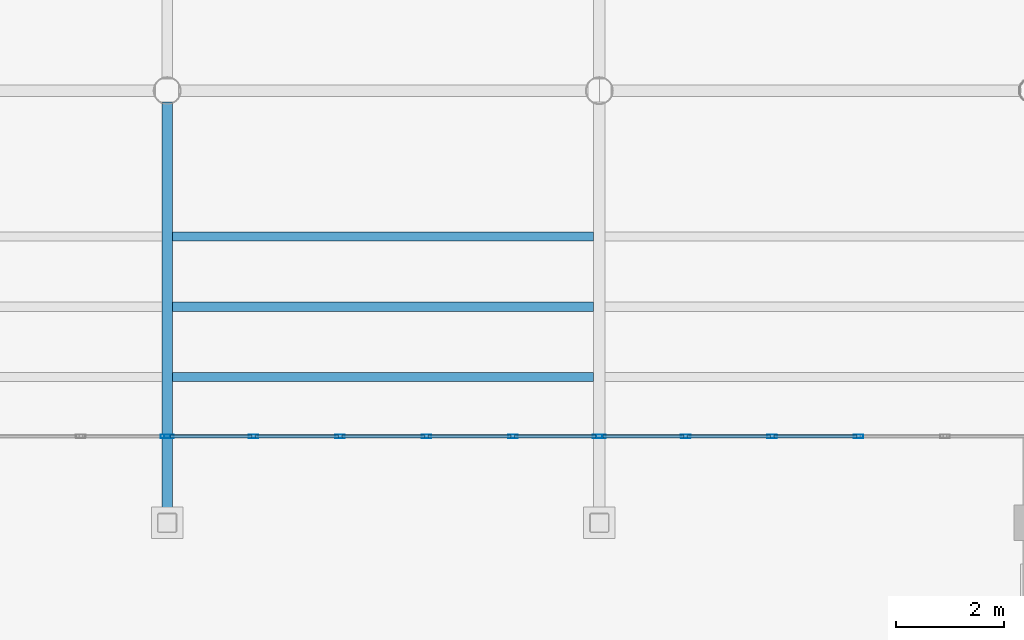
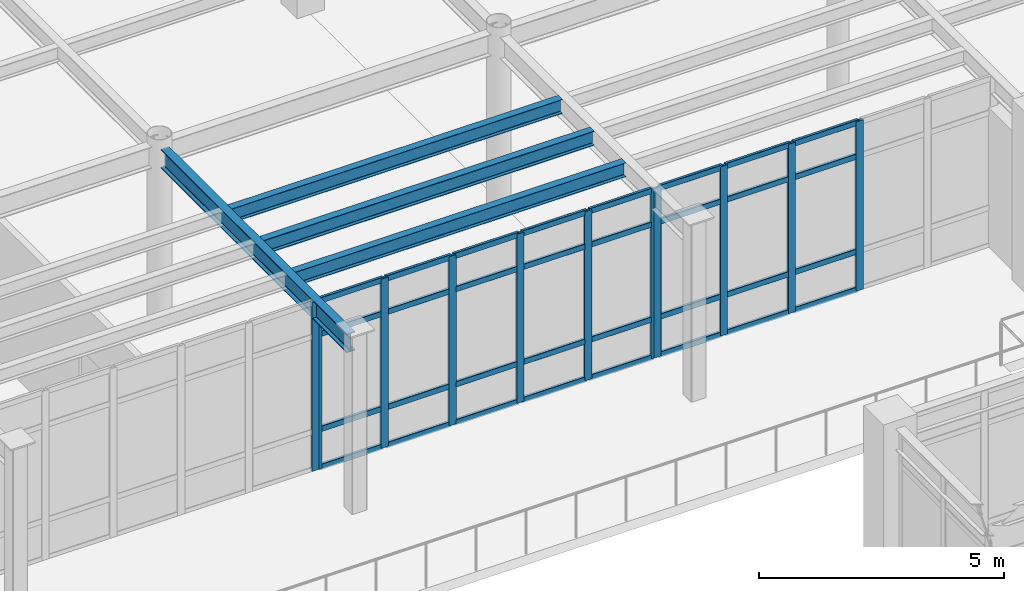
# One storey, part 45 of 111: 43 members, 4 beams, 3 elements without a shape of their own.
"""IFC4 building model written with IfcOpenShell, lengths in metres."""

from ifc_helpers import new_model, si_unit, direction, frame, origin, origin_2d, place, context, subcontext, project, spatial, hollow_rectangle, i_section, extrude, material, material_profile, profile_set, type_object, element, aggregate, save


model = new_model("IFC4")

# Units and contexts
model_context = context("Model", 3, precision=1e-05, world=origin(), true_north=direction((0.0, 1.0)))
body_context = subcontext(model_context, "Body", "Model", "MODEL_VIEW")
ifc_project = project(units=[si_unit("LENGTHUNIT", "METRE"), si_unit("AREAUNIT", "SQUARE_METRE"), si_unit("VOLUMEUNIT", "CUBIC_METRE"), si_unit("PLANEANGLEUNIT", "RADIAN"), si_unit("MASSUNIT", "GRAM", prefix="KILO")], contexts=[model_context])

# Site, building, storey
site_placement = place(None, origin())
site = spatial("IfcSite", under=ifc_project, at=site_placement, CompositionType="ELEMENT")
building_placement = place(site_placement, origin())
building = spatial("IfcBuilding", under=site, at=building_placement, Name="Solmirada Galleria", CompositionType="ELEMENT")
storey_placement = place(building_placement, frame((0.0, 0.0, 10.39990234375)))
storey = spatial("IfcBuildingStorey", under=building, at=storey_placement, Name="L02", CompositionType="ELEMENT", Elevation=10.39990234375)

# Beams
ifc_material_1 = material(Name="Steel S355 / ASTM A992 Grade 50", Category="steel")
ifc_material_profile_1 = material_profile(ifc_material_1, i_section(OverallWidth=0.194091796875, OverallDepth=0.468994140625, WebThickness=0.0126953125, FlangeThickness=0.0205078125, FilletRadius=0.013916015625, at=origin_2d()), Name="W18X71")
ifc_profile_set_1 = profile_set([ifc_material_profile_1], Name="Steel S355 / ASTM A992 Grade 50")
beam_type_1 = type_object("IfcBeamType", Name="BM-GIRD-W18B", PredefinedType="BEAM", material=ifc_profile_set_1)
beam_1_placement = place(storey_placement, frame((72.0, 80.177978515625, 4.025634765625), z_axis=(0.0, 1.0, 0.0), x_axis=(-1.0, 0.0, 0.0)))
element("IfcBeam", 1, at=beam_1_placement, inside=storey, type_object=beam_type_1, Name="Primary girder L03 Y(72, 80..88)", PredefinedType="BEAM", context=body_context, shape_type="SweptSolid", body=[
    extrude(i_section(OverallWidth=0.194091796875, OverallDepth=0.468994140625, WebThickness=0.0126953125, FlangeThickness=0.0205078125, FilletRadius=0.013916015625, at=origin_2d()), origin(), (0.0, 0.0, 1.0), 7.608642578125),
])
ifc_material_profile_2 = material_profile(ifc_material_1, i_section(OverallWidth=0.172119140625, OverallDepth=0.35791015625, WebThickness=0.0078125, FlangeThickness=0.01318359375, FilletRadius=0.011962890625, at=origin_2d()), Name="W14X38")
ifc_profile_set_2 = profile_set([ifc_material_profile_2], Name="Steel S355 / ASTM A992 Grade 50")
beam_type_2 = type_object("IfcBeamType", Name="BM-JST-W14A", PredefinedType="JOIST", material=ifc_profile_set_2)
beam_2_placement = place(storey_placement, frame((72.096923828125, 84.0, 4.0810546875), z_axis=(1.0, 0.0, 0.0), x_axis=(0.0, 1.0, 0.0)))
element("IfcBeam", 2, at=beam_2_placement, inside=storey, type_object=beam_type_2, Name="Composite floor joist L03 (72..80, 84.0)", PredefinedType="JOIST", context=body_context, shape_type="SweptSolid", body=[
    extrude(i_section(OverallWidth=0.172119140625, OverallDepth=0.35791015625, WebThickness=0.0078125, FlangeThickness=0.01318359375, FilletRadius=0.011962890625, at=origin_2d()), origin(), (0.0, 0.0, 1.0), 7.798095703125),
])
ifc_material_profile_3 = material_profile(ifc_material_1, i_section(OverallWidth=0.1708984375, OverallDepth=0.35205078125, WebThickness=0.0068359375, FlangeThickness=0.009765625, FilletRadius=0.010986328125, at=origin_2d()), Name="W14X30")
ifc_profile_set_3 = profile_set([ifc_material_profile_3], Name="Steel S355 / ASTM A992 Grade 50")
beam_type_3 = type_object("IfcBeamType", Name="BM-JST-W14B", PredefinedType="JOIST", material=ifc_profile_set_3)
for number, where, z_axis, x_axis, name in (
    (3, (72.096923828125, 82.699951171875, 4.083984375), (1.0, 0.0, 0.0), (0.0, 1.0, 0.0), "Terrace deck joist L03-TERR-NW X=72..80 (1)"),
    (4, (72.096923828125, 85.300048828125, 4.083984375), (1.0, 0.0, 0.0), (0.0, 1.0, 0.0), "Terrace deck joist L03-TERR-NW X=72..80 (2)"),
):
    element("IfcBeam", number, at=place(storey_placement, frame(where, z_axis=z_axis, x_axis=x_axis)), inside=storey, type_object=beam_type_3, Name=name, PredefinedType="JOIST", context=body_context, shape_type="SweptSolid", body=[
        extrude(i_section(OverallWidth=0.1708984375, OverallDepth=0.35205078125, WebThickness=0.0068359375, FlangeThickness=0.009765625, FilletRadius=0.010986328125, at=origin_2d()), origin(), (0.0, 0.0, 1.0), 7.798095703125),
    ])

# Curtain wall, members
ifc_material_2 = material(Name="Impact-resistant low-E double glazing", Category="glass")
curtain_wall_type = type_object("IfcCurtainWallType", Name="CW-FZ4-L02-B5-L080", PredefinedType="NOTDEFINED", material=ifc_material_2)
curtain_wall_1_placement = place(storey_placement, origin())
curtain_wall_1 = element("IfcCurtainWall", 5, at=curtain_wall_1_placement, inside=storey, type_object=curtain_wall_type, Name="Terrace and arcade storefront CW-L02-088", PredefinedType="NOTDEFINED")
ifc_material_3 = material(Name="Anodised aluminium framing", Category="aluminium")
ifc_material_profile_4 = material_profile(ifc_material_3, hollow_rectangle(XDim=0.06494140625, YDim=0.179931640625, WallThickness=0.00390625, InnerFilletRadius=0.00390625, OuterFilletRadius=0.008056640625, at=origin_2d()), Name="ALU-MULL-180X65")
ifc_profile_set_4 = profile_set([ifc_material_profile_4], Name="Anodised aluminium framing")
member_type_1 = type_object("IfcMemberType", Name="CW-MULL-180", PredefinedType="MULLION", material=ifc_profile_set_4)
member_1_placement = place(storey_placement, frame((84.800048828125, 81.60009765625, 0.0), z_axis=(0.0, 0.0, 1.0), x_axis=(0.0, -1.0, 0.0)))
member_1 = element("IfcMember", 6, at=member_1_placement, type_object=member_type_1, Name="CW22 mullion 3", PredefinedType="MULLION", context=body_context, shape_type="SweptSolid", body=[
    extrude(hollow_rectangle(XDim=0.06494140625, YDim=0.179931640625, WallThickness=0.00390625, InnerFilletRadius=0.00390625, OuterFilletRadius=0.008056640625, at=origin_2d()), origin(), (0.0, 0.0, 1.0), 4.22021484375),
])
member_2_placement = place(storey_placement, frame((83.199951171875, 81.60009765625, 0.0), z_axis=(0.0, 0.0, 1.0), x_axis=(0.0, -1.0, 0.0)))
member_2 = element("IfcMember", 7, at=member_2_placement, type_object=member_type_1, Name="CW22 mullion 4", PredefinedType="MULLION", context=body_context, shape_type="SweptSolid", body=[
    extrude(hollow_rectangle(XDim=0.06494140625, YDim=0.179931640625, WallThickness=0.00390625, InnerFilletRadius=0.00390625, OuterFilletRadius=0.008056640625, at=origin_2d()), origin(), (0.0, 0.0, 1.0), 4.22021484375),
])
member_3_placement = place(storey_placement, frame((81.60009765625, 81.60009765625, 0.0), z_axis=(0.0, 0.0, 1.0), x_axis=(0.0, -1.0, 0.0)))
member_3 = element("IfcMember", 8, at=member_3_placement, type_object=member_type_1, Name="CW22 mullion 5", PredefinedType="MULLION", context=body_context, shape_type="SweptSolid", body=[
    extrude(hollow_rectangle(XDim=0.06494140625, YDim=0.179931640625, WallThickness=0.00390625, InnerFilletRadius=0.00390625, OuterFilletRadius=0.008056640625, at=origin_2d()), origin(), (0.0, 0.0, 1.0), 4.22021484375),
])
member_4_placement = place(storey_placement, frame((80.032470703125, 81.60009765625, 0.0), z_axis=(0.0, 0.0, 1.0), x_axis=(0.0, -1.0, 0.0)))
member_4 = element("IfcMember", 9, at=member_4_placement, type_object=member_type_1, Name="CW22 mullion 6", PredefinedType="MULLION", context=body_context, shape_type="SweptSolid", body=[
    extrude(hollow_rectangle(XDim=0.06494140625, YDim=0.179931640625, WallThickness=0.00390625, InnerFilletRadius=0.00390625, OuterFilletRadius=0.008056640625, at=origin_2d()), origin(), (0.0, 0.0, 1.0), 4.22021484375),
])

curtain_wall_2_placement = place(storey_placement, origin())
curtain_wall_2 = element("IfcCurtainWall", 10, at=curtain_wall_2_placement, inside=storey, type_object=curtain_wall_type, Name="Terrace and arcade storefront CW-L02-089", PredefinedType="NOTDEFINED")
member_5_placement = place(storey_placement, frame((79.967529296875, 81.60009765625, 0.0), z_axis=(0.0, 0.0, 1.0), x_axis=(0.0, -1.0, 0.0)))
member_5 = element("IfcMember", 11, at=member_5_placement, type_object=member_type_1, Name="CW22 mullion 1", PredefinedType="MULLION", context=body_context, shape_type="SweptSolid", body=[
    extrude(hollow_rectangle(XDim=0.06494140625, YDim=0.179931640625, WallThickness=0.00390625, InnerFilletRadius=0.00390625, OuterFilletRadius=0.008056640625, at=origin_2d()), origin(), (0.0, 0.0, 1.0), 4.22021484375),
])
member_6_placement = place(storey_placement, frame((78.39990234375, 81.60009765625, 0.0), z_axis=(0.0, 0.0, 1.0), x_axis=(0.0, -1.0, 0.0)))
member_6 = element("IfcMember", 12, at=member_6_placement, type_object=member_type_1, Name="CW22 mullion 2", PredefinedType="MULLION", context=body_context, shape_type="SweptSolid", body=[
    extrude(hollow_rectangle(XDim=0.06494140625, YDim=0.179931640625, WallThickness=0.00390625, InnerFilletRadius=0.00390625, OuterFilletRadius=0.008056640625, at=origin_2d()), origin(), (0.0, 0.0, 1.0), 4.22021484375),
])
member_7_placement = place(storey_placement, frame((76.800048828125, 81.60009765625, 0.0), z_axis=(0.0, 0.0, 1.0), x_axis=(0.0, -1.0, 0.0)))
member_7 = element("IfcMember", 13, at=member_7_placement, type_object=member_type_1, Name="CW22 mullion 3", PredefinedType="MULLION", context=body_context, shape_type="SweptSolid", body=[
    extrude(hollow_rectangle(XDim=0.06494140625, YDim=0.179931640625, WallThickness=0.00390625, InnerFilletRadius=0.00390625, OuterFilletRadius=0.008056640625, at=origin_2d()), origin(), (0.0, 0.0, 1.0), 4.22021484375),
])
member_8_placement = place(storey_placement, frame((75.199951171875, 81.60009765625, 0.0), z_axis=(0.0, 0.0, 1.0), x_axis=(0.0, -1.0, 0.0)))
member_8 = element("IfcMember", 14, at=member_8_placement, type_object=member_type_1, Name="CW22 mullion 4", PredefinedType="MULLION", context=body_context, shape_type="SweptSolid", body=[
    extrude(hollow_rectangle(XDim=0.06494140625, YDim=0.179931640625, WallThickness=0.00390625, InnerFilletRadius=0.00390625, OuterFilletRadius=0.008056640625, at=origin_2d()), origin(), (0.0, 0.0, 1.0), 4.22021484375),
])
member_9_placement = place(storey_placement, frame((73.60009765625, 81.60009765625, 0.0), z_axis=(0.0, 0.0, 1.0), x_axis=(0.0, -1.0, 0.0)))
member_9 = element("IfcMember", 15, at=member_9_placement, type_object=member_type_1, Name="CW22 mullion 5", PredefinedType="MULLION", context=body_context, shape_type="SweptSolid", body=[
    extrude(hollow_rectangle(XDim=0.06494140625, YDim=0.179931640625, WallThickness=0.00390625, InnerFilletRadius=0.00390625, OuterFilletRadius=0.008056640625, at=origin_2d()), origin(), (0.0, 0.0, 1.0), 4.22021484375),
])
member_10_placement = place(storey_placement, frame((72.032470703125, 81.60009765625, 0.0), z_axis=(0.0, 0.0, 1.0), x_axis=(0.0, -1.0, 0.0)))
member_10 = element("IfcMember", 16, at=member_10_placement, type_object=member_type_1, Name="CW22 mullion 6", PredefinedType="MULLION", context=body_context, shape_type="SweptSolid", body=[
    extrude(hollow_rectangle(XDim=0.06494140625, YDim=0.179931640625, WallThickness=0.00390625, InnerFilletRadius=0.00390625, OuterFilletRadius=0.008056640625, at=origin_2d()), origin(), (0.0, 0.0, 1.0), 4.22021484375),
])

# Curtain wall, member
curtain_wall_3_placement = place(storey_placement, origin())
curtain_wall_3 = element("IfcCurtainWall", 17, at=curtain_wall_3_placement, inside=storey, type_object=curtain_wall_type, Name="Terrace and arcade storefront CW-L02-090", PredefinedType="NOTDEFINED")
member_11_placement = place(storey_placement, frame((71.967529296875, 81.60009765625, 0.0), z_axis=(0.0, 0.0, 1.0), x_axis=(0.0, -1.0, 0.0)))
member_11 = element("IfcMember", 18, at=member_11_placement, type_object=member_type_1, Name="CW22 mullion 1", PredefinedType="MULLION", context=body_context, shape_type="SweptSolid", body=[
    extrude(hollow_rectangle(XDim=0.06494140625, YDim=0.179931640625, WallThickness=0.00390625, InnerFilletRadius=0.00390625, OuterFilletRadius=0.008056640625, at=origin_2d()), origin(), (0.0, 0.0, 1.0), 4.22021484375),
])
aggregate(curtain_wall_3, [member_11])

# Member
ifc_material_profile_5 = material_profile(ifc_material_3, hollow_rectangle(XDim=0.06494140625, YDim=0.139892578125, WallThickness=0.00341796875, InnerFilletRadius=0.00341796875, OuterFilletRadius=0.007080078125, at=origin_2d()), Name="ALU-TRAN-140X65")
ifc_profile_set_5 = profile_set([ifc_material_profile_5], Name="Anodised aluminium framing")
member_type_2 = type_object("IfcMemberType", Name="CW-TRAN-140", PredefinedType="USERDEFINED", material=ifc_profile_set_5)
member_12_placement = place(storey_placement, frame((84.767578125, 81.60009765625, 0.03271484375), z_axis=(-1.0, 0.0, 0.0), x_axis=(0.0, -1.0, 0.0)))
member_12 = element("IfcMember", 19, at=member_12_placement, type_object=member_type_2, Name="CW22 transom 3.1", ObjectType="TRANSOM", PredefinedType="USERDEFINED", context=body_context, shape_type="SweptSolid", body=[
    extrude(hollow_rectangle(XDim=0.06494140625, YDim=0.139892578125, WallThickness=0.00341796875, InnerFilletRadius=0.00341796875, OuterFilletRadius=0.007080078125, at=origin_2d()), origin(), (0.0, 0.0, 1.0), 1.53515625),
])

member_13_placement = place(storey_placement, frame((84.767578125, 81.60009765625, 0.97998046875), z_axis=(-1.0, 0.0, 0.0), x_axis=(0.0, -1.0, 0.0)))
member_13 = element("IfcMember", 20, at=member_13_placement, type_object=member_type_2, Name="CW22 transom 3.2", ObjectType="TRANSOM", PredefinedType="USERDEFINED", context=body_context, shape_type="SweptSolid", body=[
    extrude(hollow_rectangle(XDim=0.06494140625, YDim=0.139892578125, WallThickness=0.00341796875, InnerFilletRadius=0.00341796875, OuterFilletRadius=0.007080078125, at=origin_2d()), origin(), (0.0, 0.0, 1.0), 1.53515625),
])

member_14_placement = place(storey_placement, frame((84.767578125, 81.60009765625, 3.35009765625), z_axis=(-1.0, 0.0, 0.0), x_axis=(0.0, -1.0, 0.0)))
member_14 = element("IfcMember", 21, at=member_14_placement, type_object=member_type_2, Name="CW22 transom 3.3", ObjectType="TRANSOM", PredefinedType="USERDEFINED", context=body_context, shape_type="SweptSolid", body=[
    extrude(hollow_rectangle(XDim=0.06494140625, YDim=0.139892578125, WallThickness=0.00341796875, InnerFilletRadius=0.00341796875, OuterFilletRadius=0.007080078125, at=origin_2d()), origin(), (0.0, 0.0, 1.0), 1.53515625),
])

member_15_placement = place(storey_placement, frame((84.767578125, 81.60009765625, 4.1875), z_axis=(-1.0, 0.0, 0.0), x_axis=(0.0, -1.0, 0.0)))
member_15 = element("IfcMember", 22, at=member_15_placement, type_object=member_type_2, Name="CW22 transom 3.4", ObjectType="TRANSOM", PredefinedType="USERDEFINED", context=body_context, shape_type="SweptSolid", body=[
    extrude(hollow_rectangle(XDim=0.06494140625, YDim=0.139892578125, WallThickness=0.00341796875, InnerFilletRadius=0.00341796875, OuterFilletRadius=0.007080078125, at=origin_2d()), origin(), (0.0, 0.0, 1.0), 1.53515625),
])

member_16_placement = place(storey_placement, frame((83.16748046875, 81.60009765625, 0.03271484375), z_axis=(-1.0, 0.0, 0.0), x_axis=(0.0, -1.0, 0.0)))
member_16 = element("IfcMember", 23, at=member_16_placement, type_object=member_type_2, Name="CW22 transom 4.1", ObjectType="TRANSOM", PredefinedType="USERDEFINED", context=body_context, shape_type="SweptSolid", body=[
    extrude(hollow_rectangle(XDim=0.06494140625, YDim=0.139892578125, WallThickness=0.00341796875, InnerFilletRadius=0.00341796875, OuterFilletRadius=0.007080078125, at=origin_2d()), origin(), (0.0, 0.0, 1.0), 1.534912109375),
])

member_17_placement = place(storey_placement, frame((83.16748046875, 81.60009765625, 0.97998046875), z_axis=(-1.0, 0.0, 0.0), x_axis=(0.0, -1.0, 0.0)))
member_17 = element("IfcMember", 24, at=member_17_placement, type_object=member_type_2, Name="CW22 transom 4.2", ObjectType="TRANSOM", PredefinedType="USERDEFINED", context=body_context, shape_type="SweptSolid", body=[
    extrude(hollow_rectangle(XDim=0.06494140625, YDim=0.139892578125, WallThickness=0.00341796875, InnerFilletRadius=0.00341796875, OuterFilletRadius=0.007080078125, at=origin_2d()), origin(), (0.0, 0.0, 1.0), 1.534912109375),
])

member_18_placement = place(storey_placement, frame((83.16748046875, 81.60009765625, 3.35009765625), z_axis=(-1.0, 0.0, 0.0), x_axis=(0.0, -1.0, 0.0)))
member_18 = element("IfcMember", 25, at=member_18_placement, type_object=member_type_2, Name="CW22 transom 4.3", ObjectType="TRANSOM", PredefinedType="USERDEFINED", context=body_context, shape_type="SweptSolid", body=[
    extrude(hollow_rectangle(XDim=0.06494140625, YDim=0.139892578125, WallThickness=0.00341796875, InnerFilletRadius=0.00341796875, OuterFilletRadius=0.007080078125, at=origin_2d()), origin(), (0.0, 0.0, 1.0), 1.534912109375),
])

member_19_placement = place(storey_placement, frame((83.16748046875, 81.60009765625, 4.1875), z_axis=(-1.0, 0.0, 0.0), x_axis=(0.0, -1.0, 0.0)))
member_19 = element("IfcMember", 26, at=member_19_placement, type_object=member_type_2, Name="CW22 transom 4.4", ObjectType="TRANSOM", PredefinedType="USERDEFINED", context=body_context, shape_type="SweptSolid", body=[
    extrude(hollow_rectangle(XDim=0.06494140625, YDim=0.139892578125, WallThickness=0.00341796875, InnerFilletRadius=0.00341796875, OuterFilletRadius=0.007080078125, at=origin_2d()), origin(), (0.0, 0.0, 1.0), 1.534912109375),
])

member_20_placement = place(storey_placement, frame((81.5673828125, 81.60009765625, 0.03271484375), z_axis=(-1.0, 0.0, 0.0), x_axis=(0.0, -1.0, 0.0)))
member_20 = element("IfcMember", 27, at=member_20_placement, type_object=member_type_2, Name="CW22 transom 5.1", ObjectType="TRANSOM", PredefinedType="USERDEFINED", context=body_context, shape_type="SweptSolid", body=[
    extrude(hollow_rectangle(XDim=0.06494140625, YDim=0.139892578125, WallThickness=0.00341796875, InnerFilletRadius=0.00341796875, OuterFilletRadius=0.007080078125, at=origin_2d()), origin(), (0.0, 0.0, 1.0), 1.50244140625),
])

member_21_placement = place(storey_placement, frame((81.5673828125, 81.60009765625, 0.97998046875), z_axis=(-1.0, 0.0, 0.0), x_axis=(0.0, -1.0, 0.0)))
member_21 = element("IfcMember", 28, at=member_21_placement, type_object=member_type_2, Name="CW22 transom 5.2", ObjectType="TRANSOM", PredefinedType="USERDEFINED", context=body_context, shape_type="SweptSolid", body=[
    extrude(hollow_rectangle(XDim=0.06494140625, YDim=0.139892578125, WallThickness=0.00341796875, InnerFilletRadius=0.00341796875, OuterFilletRadius=0.007080078125, at=origin_2d()), origin(), (0.0, 0.0, 1.0), 1.50244140625),
])

member_22_placement = place(storey_placement, frame((81.5673828125, 81.60009765625, 3.35009765625), z_axis=(-1.0, 0.0, 0.0), x_axis=(0.0, -1.0, 0.0)))
member_22 = element("IfcMember", 29, at=member_22_placement, type_object=member_type_2, Name="CW22 transom 5.3", ObjectType="TRANSOM", PredefinedType="USERDEFINED", context=body_context, shape_type="SweptSolid", body=[
    extrude(hollow_rectangle(XDim=0.06494140625, YDim=0.139892578125, WallThickness=0.00341796875, InnerFilletRadius=0.00341796875, OuterFilletRadius=0.007080078125, at=origin_2d()), origin(), (0.0, 0.0, 1.0), 1.50244140625),
])

member_23_placement = place(storey_placement, frame((81.5673828125, 81.60009765625, 4.1875), z_axis=(-1.0, 0.0, 0.0), x_axis=(0.0, -1.0, 0.0)))
member_23 = element("IfcMember", 30, at=member_23_placement, type_object=member_type_2, Name="CW22 transom 5.4", ObjectType="TRANSOM", PredefinedType="USERDEFINED", context=body_context, shape_type="SweptSolid", body=[
    extrude(hollow_rectangle(XDim=0.06494140625, YDim=0.139892578125, WallThickness=0.00341796875, InnerFilletRadius=0.00341796875, OuterFilletRadius=0.007080078125, at=origin_2d()), origin(), (0.0, 0.0, 1.0), 1.50244140625),
])

aggregate(curtain_wall_1, [member_1, member_2, member_3, member_4, member_12, member_13, member_14, member_15, member_16, member_17, member_18, member_19, member_20, member_21, member_22, member_23])

member_24_placement = place(storey_placement, frame((79.93505859375, 81.60009765625, 0.03271484375), z_axis=(-1.0, 0.0, 0.0), x_axis=(0.0, -1.0, 0.0)))
member_24 = element("IfcMember", 31, at=member_24_placement, type_object=member_type_2, Name="CW22 transom 1.1", ObjectType="TRANSOM", PredefinedType="USERDEFINED", context=body_context, shape_type="SweptSolid", body=[
    extrude(hollow_rectangle(XDim=0.06494140625, YDim=0.139892578125, WallThickness=0.00341796875, InnerFilletRadius=0.00341796875, OuterFilletRadius=0.007080078125, at=origin_2d()), origin(), (0.0, 0.0, 1.0), 1.50244140625),
])

member_25_placement = place(storey_placement, frame((79.93505859375, 81.60009765625, 0.97998046875), z_axis=(-1.0, 0.0, 0.0), x_axis=(0.0, -1.0, 0.0)))
member_25 = element("IfcMember", 32, at=member_25_placement, type_object=member_type_2, Name="CW22 transom 1.2", ObjectType="TRANSOM", PredefinedType="USERDEFINED", context=body_context, shape_type="SweptSolid", body=[
    extrude(hollow_rectangle(XDim=0.06494140625, YDim=0.139892578125, WallThickness=0.00341796875, InnerFilletRadius=0.00341796875, OuterFilletRadius=0.007080078125, at=origin_2d()), origin(), (0.0, 0.0, 1.0), 1.50244140625),
])

member_26_placement = place(storey_placement, frame((79.93505859375, 81.60009765625, 3.35009765625), z_axis=(-1.0, 0.0, 0.0), x_axis=(0.0, -1.0, 0.0)))
member_26 = element("IfcMember", 33, at=member_26_placement, type_object=member_type_2, Name="CW22 transom 1.3", ObjectType="TRANSOM", PredefinedType="USERDEFINED", context=body_context, shape_type="SweptSolid", body=[
    extrude(hollow_rectangle(XDim=0.06494140625, YDim=0.139892578125, WallThickness=0.00341796875, InnerFilletRadius=0.00341796875, OuterFilletRadius=0.007080078125, at=origin_2d()), origin(), (0.0, 0.0, 1.0), 1.50244140625),
])

member_27_placement = place(storey_placement, frame((79.93505859375, 81.60009765625, 4.1875), z_axis=(-1.0, 0.0, 0.0), x_axis=(0.0, -1.0, 0.0)))
member_27 = element("IfcMember", 34, at=member_27_placement, type_object=member_type_2, Name="CW22 transom 1.4", ObjectType="TRANSOM", PredefinedType="USERDEFINED", context=body_context, shape_type="SweptSolid", body=[
    extrude(hollow_rectangle(XDim=0.06494140625, YDim=0.139892578125, WallThickness=0.00341796875, InnerFilletRadius=0.00341796875, OuterFilletRadius=0.007080078125, at=origin_2d()), origin(), (0.0, 0.0, 1.0), 1.50244140625),
])

member_28_placement = place(storey_placement, frame((78.367431640625, 81.60009765625, 0.03271484375), z_axis=(-1.0, 0.0, 0.0), x_axis=(0.0, -1.0, 0.0)))
member_28 = element("IfcMember", 35, at=member_28_placement, type_object=member_type_2, Name="CW22 transom 2.1", ObjectType="TRANSOM", PredefinedType="USERDEFINED", context=body_context, shape_type="SweptSolid", body=[
    extrude(hollow_rectangle(XDim=0.06494140625, YDim=0.139892578125, WallThickness=0.00341796875, InnerFilletRadius=0.00341796875, OuterFilletRadius=0.007080078125, at=origin_2d()), origin(), (0.0, 0.0, 1.0), 1.534912109375),
])

member_29_placement = place(storey_placement, frame((78.367431640625, 81.60009765625, 0.97998046875), z_axis=(-1.0, 0.0, 0.0), x_axis=(0.0, -1.0, 0.0)))
member_29 = element("IfcMember", 36, at=member_29_placement, type_object=member_type_2, Name="CW22 transom 2.2", ObjectType="TRANSOM", PredefinedType="USERDEFINED", context=body_context, shape_type="SweptSolid", body=[
    extrude(hollow_rectangle(XDim=0.06494140625, YDim=0.139892578125, WallThickness=0.00341796875, InnerFilletRadius=0.00341796875, OuterFilletRadius=0.007080078125, at=origin_2d()), origin(), (0.0, 0.0, 1.0), 1.534912109375),
])

member_30_placement = place(storey_placement, frame((78.367431640625, 81.60009765625, 3.35009765625), z_axis=(-1.0, 0.0, 0.0), x_axis=(0.0, -1.0, 0.0)))
member_30 = element("IfcMember", 37, at=member_30_placement, type_object=member_type_2, Name="CW22 transom 2.3", ObjectType="TRANSOM", PredefinedType="USERDEFINED", context=body_context, shape_type="SweptSolid", body=[
    extrude(hollow_rectangle(XDim=0.06494140625, YDim=0.139892578125, WallThickness=0.00341796875, InnerFilletRadius=0.00341796875, OuterFilletRadius=0.007080078125, at=origin_2d()), origin(), (0.0, 0.0, 1.0), 1.534912109375),
])

member_31_placement = place(storey_placement, frame((78.367431640625, 81.60009765625, 4.1875), z_axis=(-1.0, 0.0, 0.0), x_axis=(0.0, -1.0, 0.0)))
member_31 = element("IfcMember", 38, at=member_31_placement, type_object=member_type_2, Name="CW22 transom 2.4", ObjectType="TRANSOM", PredefinedType="USERDEFINED", context=body_context, shape_type="SweptSolid", body=[
    extrude(hollow_rectangle(XDim=0.06494140625, YDim=0.139892578125, WallThickness=0.00341796875, InnerFilletRadius=0.00341796875, OuterFilletRadius=0.007080078125, at=origin_2d()), origin(), (0.0, 0.0, 1.0), 1.534912109375),
])

member_32_placement = place(storey_placement, frame((76.767578125, 81.60009765625, 0.03271484375), z_axis=(-1.0, 0.0, 0.0), x_axis=(0.0, -1.0, 0.0)))
member_32 = element("IfcMember", 39, at=member_32_placement, type_object=member_type_2, Name="CW22 transom 3.1", ObjectType="TRANSOM", PredefinedType="USERDEFINED", context=body_context, shape_type="SweptSolid", body=[
    extrude(hollow_rectangle(XDim=0.06494140625, YDim=0.139892578125, WallThickness=0.00341796875, InnerFilletRadius=0.00341796875, OuterFilletRadius=0.007080078125, at=origin_2d()), origin(), (0.0, 0.0, 1.0), 1.53515625),
])

member_33_placement = place(storey_placement, frame((76.767578125, 81.60009765625, 0.97998046875), z_axis=(-1.0, 0.0, 0.0), x_axis=(0.0, -1.0, 0.0)))
member_33 = element("IfcMember", 40, at=member_33_placement, type_object=member_type_2, Name="CW22 transom 3.2", ObjectType="TRANSOM", PredefinedType="USERDEFINED", context=body_context, shape_type="SweptSolid", body=[
    extrude(hollow_rectangle(XDim=0.06494140625, YDim=0.139892578125, WallThickness=0.00341796875, InnerFilletRadius=0.00341796875, OuterFilletRadius=0.007080078125, at=origin_2d()), origin(), (0.0, 0.0, 1.0), 1.53515625),
])

member_34_placement = place(storey_placement, frame((76.767578125, 81.60009765625, 3.35009765625), z_axis=(-1.0, 0.0, 0.0), x_axis=(0.0, -1.0, 0.0)))
member_34 = element("IfcMember", 41, at=member_34_placement, type_object=member_type_2, Name="CW22 transom 3.3", ObjectType="TRANSOM", PredefinedType="USERDEFINED", context=body_context, shape_type="SweptSolid", body=[
    extrude(hollow_rectangle(XDim=0.06494140625, YDim=0.139892578125, WallThickness=0.00341796875, InnerFilletRadius=0.00341796875, OuterFilletRadius=0.007080078125, at=origin_2d()), origin(), (0.0, 0.0, 1.0), 1.53515625),
])

member_35_placement = place(storey_placement, frame((76.767578125, 81.60009765625, 4.1875), z_axis=(-1.0, 0.0, 0.0), x_axis=(0.0, -1.0, 0.0)))
member_35 = element("IfcMember", 42, at=member_35_placement, type_object=member_type_2, Name="CW22 transom 3.4", ObjectType="TRANSOM", PredefinedType="USERDEFINED", context=body_context, shape_type="SweptSolid", body=[
    extrude(hollow_rectangle(XDim=0.06494140625, YDim=0.139892578125, WallThickness=0.00341796875, InnerFilletRadius=0.00341796875, OuterFilletRadius=0.007080078125, at=origin_2d()), origin(), (0.0, 0.0, 1.0), 1.53515625),
])

member_36_placement = place(storey_placement, frame((75.16748046875, 81.60009765625, 0.03271484375), z_axis=(-1.0, 0.0, 0.0), x_axis=(0.0, -1.0, 0.0)))
member_36 = element("IfcMember", 43, at=member_36_placement, type_object=member_type_2, Name="CW22 transom 4.1", ObjectType="TRANSOM", PredefinedType="USERDEFINED", context=body_context, shape_type="SweptSolid", body=[
    extrude(hollow_rectangle(XDim=0.06494140625, YDim=0.139892578125, WallThickness=0.00341796875, InnerFilletRadius=0.00341796875, OuterFilletRadius=0.007080078125, at=origin_2d()), origin(), (0.0, 0.0, 1.0), 1.534912109375),
])

member_37_placement = place(storey_placement, frame((75.16748046875, 81.60009765625, 0.97998046875), z_axis=(-1.0, 0.0, 0.0), x_axis=(0.0, -1.0, 0.0)))
member_37 = element("IfcMember", 44, at=member_37_placement, type_object=member_type_2, Name="CW22 transom 4.2", ObjectType="TRANSOM", PredefinedType="USERDEFINED", context=body_context, shape_type="SweptSolid", body=[
    extrude(hollow_rectangle(XDim=0.06494140625, YDim=0.139892578125, WallThickness=0.00341796875, InnerFilletRadius=0.00341796875, OuterFilletRadius=0.007080078125, at=origin_2d()), origin(), (0.0, 0.0, 1.0), 1.534912109375),
])

member_38_placement = place(storey_placement, frame((75.16748046875, 81.60009765625, 3.35009765625), z_axis=(-1.0, 0.0, 0.0), x_axis=(0.0, -1.0, 0.0)))
member_38 = element("IfcMember", 45, at=member_38_placement, type_object=member_type_2, Name="CW22 transom 4.3", ObjectType="TRANSOM", PredefinedType="USERDEFINED", context=body_context, shape_type="SweptSolid", body=[
    extrude(hollow_rectangle(XDim=0.06494140625, YDim=0.139892578125, WallThickness=0.00341796875, InnerFilletRadius=0.00341796875, OuterFilletRadius=0.007080078125, at=origin_2d()), origin(), (0.0, 0.0, 1.0), 1.534912109375),
])

member_39_placement = place(storey_placement, frame((75.16748046875, 81.60009765625, 4.1875), z_axis=(-1.0, 0.0, 0.0), x_axis=(0.0, -1.0, 0.0)))
member_39 = element("IfcMember", 46, at=member_39_placement, type_object=member_type_2, Name="CW22 transom 4.4", ObjectType="TRANSOM", PredefinedType="USERDEFINED", context=body_context, shape_type="SweptSolid", body=[
    extrude(hollow_rectangle(XDim=0.06494140625, YDim=0.139892578125, WallThickness=0.00341796875, InnerFilletRadius=0.00341796875, OuterFilletRadius=0.007080078125, at=origin_2d()), origin(), (0.0, 0.0, 1.0), 1.534912109375),
])

member_40_placement = place(storey_placement, frame((73.5673828125, 81.60009765625, 0.03271484375), z_axis=(-1.0, 0.0, 0.0), x_axis=(0.0, -1.0, 0.0)))
member_40 = element("IfcMember", 47, at=member_40_placement, type_object=member_type_2, Name="CW22 transom 5.1", ObjectType="TRANSOM", PredefinedType="USERDEFINED", context=body_context, shape_type="SweptSolid", body=[
    extrude(hollow_rectangle(XDim=0.06494140625, YDim=0.139892578125, WallThickness=0.00341796875, InnerFilletRadius=0.00341796875, OuterFilletRadius=0.007080078125, at=origin_2d()), origin(), (0.0, 0.0, 1.0), 1.50244140625),
])

member_41_placement = place(storey_placement, frame((73.5673828125, 81.60009765625, 0.97998046875), z_axis=(-1.0, 0.0, 0.0), x_axis=(0.0, -1.0, 0.0)))
member_41 = element("IfcMember", 48, at=member_41_placement, type_object=member_type_2, Name="CW22 transom 5.2", ObjectType="TRANSOM", PredefinedType="USERDEFINED", context=body_context, shape_type="SweptSolid", body=[
    extrude(hollow_rectangle(XDim=0.06494140625, YDim=0.139892578125, WallThickness=0.00341796875, InnerFilletRadius=0.00341796875, OuterFilletRadius=0.007080078125, at=origin_2d()), origin(), (0.0, 0.0, 1.0), 1.50244140625),
])

member_42_placement = place(storey_placement, frame((73.5673828125, 81.60009765625, 3.35009765625), z_axis=(-1.0, 0.0, 0.0), x_axis=(0.0, -1.0, 0.0)))
member_42 = element("IfcMember", 49, at=member_42_placement, type_object=member_type_2, Name="CW22 transom 5.3", ObjectType="TRANSOM", PredefinedType="USERDEFINED", context=body_context, shape_type="SweptSolid", body=[
    extrude(hollow_rectangle(XDim=0.06494140625, YDim=0.139892578125, WallThickness=0.00341796875, InnerFilletRadius=0.00341796875, OuterFilletRadius=0.007080078125, at=origin_2d()), origin(), (0.0, 0.0, 1.0), 1.50244140625),
])

member_43_placement = place(storey_placement, frame((73.5673828125, 81.60009765625, 4.1875), z_axis=(-1.0, 0.0, 0.0), x_axis=(0.0, -1.0, 0.0)))
member_43 = element("IfcMember", 50, at=member_43_placement, type_object=member_type_2, Name="CW22 transom 5.4", ObjectType="TRANSOM", PredefinedType="USERDEFINED", context=body_context, shape_type="SweptSolid", body=[
    extrude(hollow_rectangle(XDim=0.06494140625, YDim=0.139892578125, WallThickness=0.00341796875, InnerFilletRadius=0.00341796875, OuterFilletRadius=0.007080078125, at=origin_2d()), origin(), (0.0, 0.0, 1.0), 1.50244140625),
])

aggregate(curtain_wall_2, [member_5, member_6, member_7, member_8, member_9, member_10, member_24, member_25, member_26, member_27, member_28, member_29, member_30, member_31, member_32, member_33, member_34, member_35, member_36, member_37, member_38, member_39, member_40, member_41, member_42, member_43])

save(model, "model.ifc")
